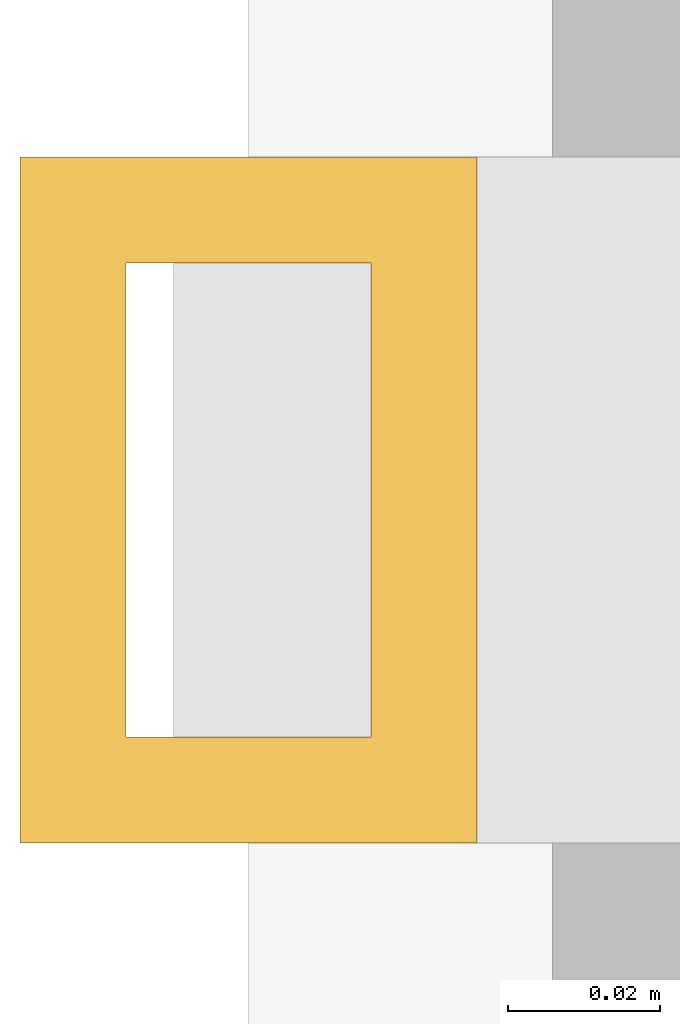
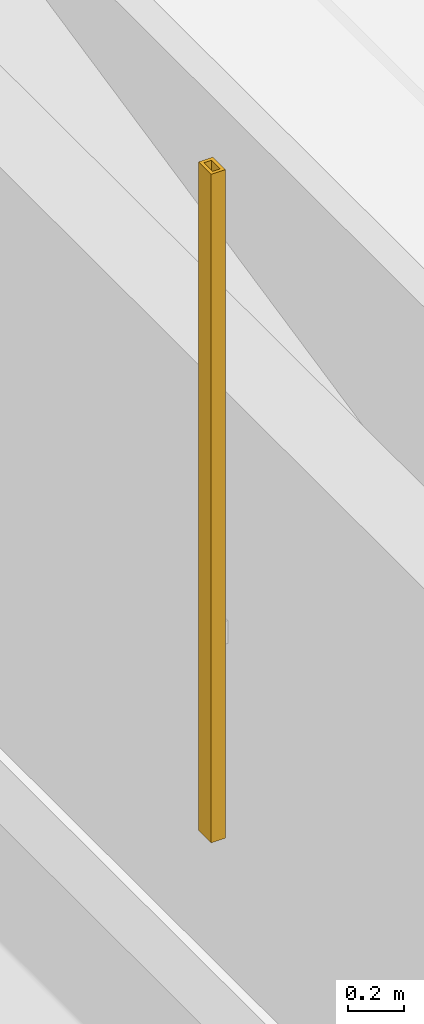
# One storey, part 23 of 32: 1 shading device.
"""IFC4 building model written with IfcOpenShell, lengths in metres."""

from ifc_helpers import new_model, si_unit, direction, frame, origin, origin_2d, place, context, subcontext, project, spatial, hollow_rectangle, extrude, material, material_profile, profile_set, type_object, element, save


model = new_model("IFC4")

# Units and contexts
model_context = context("Model", 3, precision=1e-05, world=origin(), true_north=direction((0.0, 1.0)))
body_context = subcontext(model_context, "Body", "Model", "MODEL_VIEW")
ifc_project = project(units=[si_unit("LENGTHUNIT", "METRE"), si_unit("AREAUNIT", "SQUARE_METRE"), si_unit("VOLUMEUNIT", "CUBIC_METRE"), si_unit("PLANEANGLEUNIT", "RADIAN"), si_unit("MASSUNIT", "GRAM", prefix="KILO")], contexts=[model_context])

# Site, building, storey
site_placement = place(None, origin())
site = spatial("IfcSite", under=ifc_project, at=site_placement, CompositionType="ELEMENT")
building_placement = place(site_placement, origin())
building = spatial("IfcBuilding", under=site, at=building_placement, Name="Punatoya Terracotta Tower", CompositionType="ELEMENT")
storey_placement = place(building_placement, frame((0.0, 0.0, 139.800048828125)))
storey = spatial("IfcBuildingStorey", under=building, at=storey_placement, Name="L32", CompositionType="ELEMENT", Elevation=139.800048828125)

# Shading device
ifc_material = material(Name="Architectural Fired Terracotta", Category="masonry")
ifc_material_profile = material_profile(ifc_material, hollow_rectangle(XDim=0.06005859375, YDim=0.090087890625, WallThickness=0.013916015625, at=origin_2d()))
ifc_profile_set = profile_set([ifc_material_profile], Name="Architectural Fired Terracotta")
shading_device_type = type_object("IfcShadingDeviceType", Name="SHD-JALI-90", PredefinedType="JALOUSIE", material=ifc_profile_set)
shading_device_placement = place(storey_placement, frame((-25.050048828125, 11.493408203125, 0.599853515625), z_axis=(0.0, 0.0, 1.0), x_axis=(1.0, 0.0, 0.0)))
element("IfcShadingDevice", 1, at=shading_device_placement, inside=storey, type_object=shading_device_type, Name="L32 Braced Bay Terracotta Jali Fin W1", PredefinedType="JALOUSIE", context=body_context, shape_type="SweptSolid", body=[
    extrude(hollow_rectangle(XDim=0.06005859375, YDim=0.090087890625, WallThickness=0.013916015625, at=origin_2d()), origin(), (0.0, 0.0, 1.0), 2.93017578125),
])

save(model, "model.ifc")
